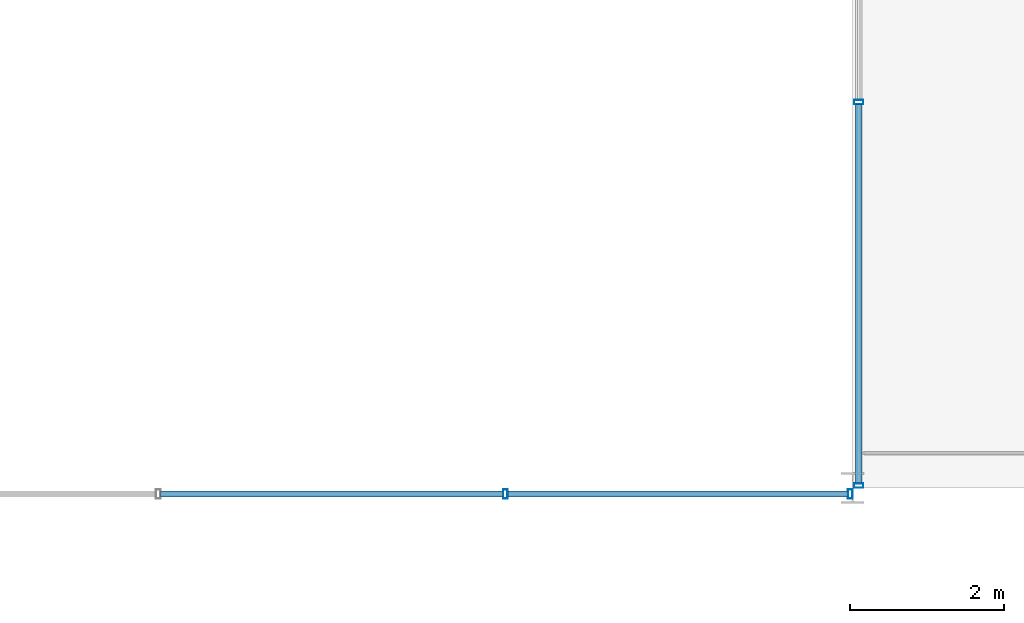
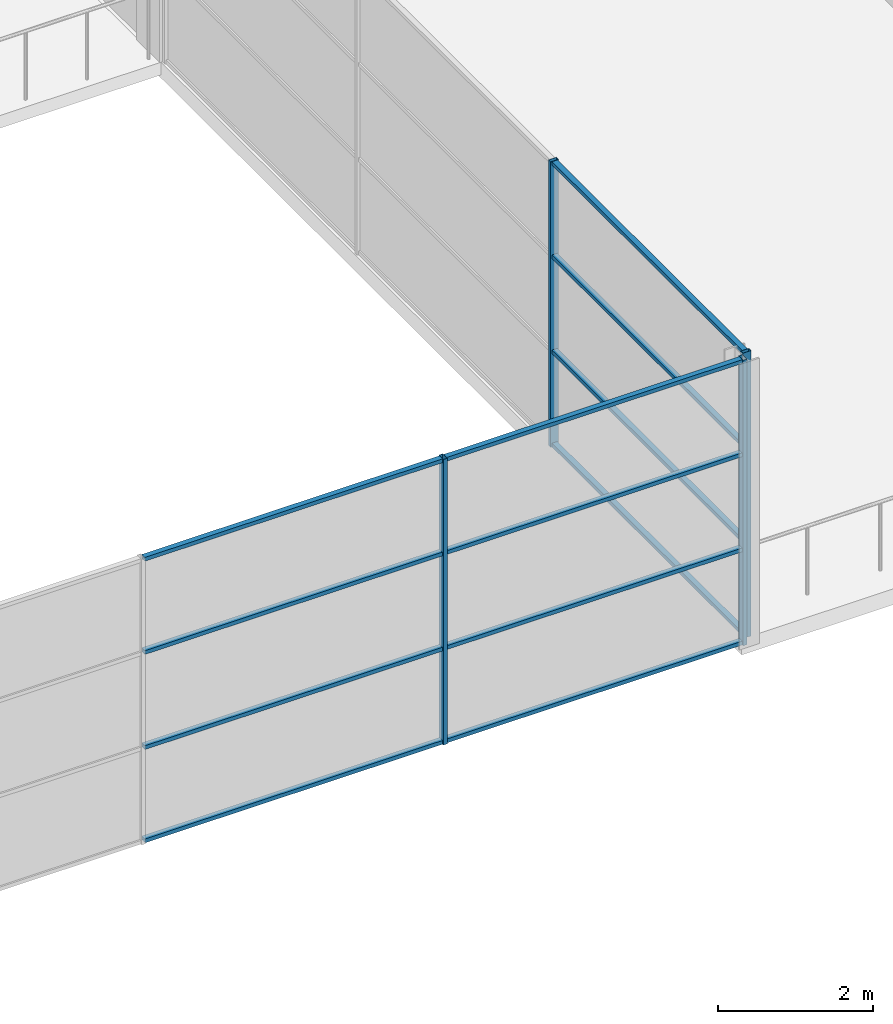
# One storey, part 25 of 111: 16 members, 2 elements without a shape of their own.
"""IFC4 building model written with IfcOpenShell, lengths in metres."""

from ifc_helpers import new_model, si_unit, direction, frame, origin, origin_2d, place, context, subcontext, project, spatial, hollow_rectangle, extrude, material, material_profile, profile_set, type_object, element, aggregate, save


model = new_model("IFC4")

# Units and contexts
model_context = context("Model", 3, precision=1e-05, world=origin(), true_north=direction((0.0, 1.0)))
body_context = subcontext(model_context, "Body", "Model", "MODEL_VIEW")
ifc_project = project(units=[si_unit("LENGTHUNIT", "METRE"), si_unit("AREAUNIT", "SQUARE_METRE"), si_unit("VOLUMEUNIT", "CUBIC_METRE"), si_unit("PLANEANGLEUNIT", "RADIAN"), si_unit("MASSUNIT", "GRAM", prefix="KILO")], contexts=[model_context])

# Site, building, storey
site_placement = place(None, origin())
site = spatial("IfcSite", under=ifc_project, at=site_placement, CompositionType="ELEMENT")
building_placement = place(site_placement, origin())
building = spatial("IfcBuilding", under=site, at=building_placement, Name="Kallimachos Central Library", CompositionType="ELEMENT")
storey_placement = place(building_placement, frame((0.0, 0.0, 14.39990234375)))
storey = spatial("IfcBuildingStorey", under=building, at=storey_placement, Name="L03", CompositionType="ELEMENT", Elevation=14.39990234375)

# Curtain wall, members
ifc_material_1 = material(Name="Aluminium and laminated glass", Category="aluminium")
curtain_wall_type = type_object("IfcCurtainWallType", Name="Atrium glazed screen", PredefinedType="NOTDEFINED", material=ifc_material_1)
curtain_wall_1_placement = place(storey_placement, origin())
curtain_wall_1 = element("IfcCurtainWall", 1, at=curtain_wall_1_placement, inside=storey, type_object=curtain_wall_type, Name="L03 atrium screen S", PredefinedType="NOTDEFINED")
ifc_material_2 = material(Name="Anodised aluminium", Category="aluminium")
ifc_material_profile_1 = material_profile(ifc_material_2, hollow_rectangle(XDim=0.06005859375, YDim=0.1201171875, WallThickness=0.00390625, at=origin_2d()), Name="ALU MULLION 60x120")
ifc_profile_set_1 = profile_set([ifc_material_profile_1], Name="Anodised aluminium")
member_type_1 = type_object("IfcMemberType", Name="Atrium screen mullion", PredefinedType="MULLION", material=ifc_profile_set_1)
member_1_placement = place(storey_placement, frame((97.0, 56.919921875, 0.0), z_axis=(0.0, 0.0, 1.0), x_axis=(1.0, 0.0, 0.0)))
member_1 = element("IfcMember", 2, at=member_1_placement, type_object=member_type_1, Name="CW mullion 6", PredefinedType="MULLION", context=body_context, shape_type="SweptSolid", body=[
    extrude(hollow_rectangle(XDim=0.06005859375, YDim=0.1201171875, WallThickness=0.00390625, at=origin_2d()), origin(), (0.0, 0.0, 1.0), 4.5),
])
member_2_placement = place(storey_placement, frame((101.469970703125, 56.919921875, 0.0), z_axis=(0.0, 0.0, 1.0), x_axis=(1.0, 0.0, 0.0)))
member_2 = element("IfcMember", 3, at=member_2_placement, type_object=member_type_1, Name="CW mullion 7", PredefinedType="MULLION", context=body_context, shape_type="SweptSolid", body=[
    extrude(hollow_rectangle(XDim=0.06005859375, YDim=0.1201171875, WallThickness=0.00390625, at=origin_2d()), origin(), (0.0, 0.0, 1.0), 4.5),
])

curtain_wall_2_placement = place(storey_placement, origin())
curtain_wall_2 = element("IfcCurtainWall", 4, at=curtain_wall_2_placement, inside=storey, type_object=curtain_wall_type, Name="L03 atrium screen E", PredefinedType="NOTDEFINED")
member_3_placement = place(storey_placement, frame((101.580078125, 57.030029296875, 0.0), z_axis=(0.0, 0.0, 1.0), x_axis=(0.0, 1.0, 0.0)))
member_3 = element("IfcMember", 5, at=member_3_placement, type_object=member_type_1, Name="CW mullion 1", PredefinedType="MULLION", context=body_context, shape_type="SweptSolid", body=[
    extrude(hollow_rectangle(XDim=0.06005859375, YDim=0.1201171875, WallThickness=0.00390625, at=origin_2d()), origin(), (0.0, 0.0, 1.0), 4.5),
])
member_4_placement = place(storey_placement, frame((101.580078125, 62.0, 0.0), z_axis=(0.0, 0.0, 1.0), x_axis=(0.0, 1.0, 0.0)))
member_4 = element("IfcMember", 6, at=member_4_placement, type_object=member_type_1, Name="CW mullion 2", PredefinedType="MULLION", context=body_context, shape_type="SweptSolid", body=[
    extrude(hollow_rectangle(XDim=0.06005859375, YDim=0.1201171875, WallThickness=0.00390625, at=origin_2d()), origin(), (0.0, 0.0, 1.0), 4.5),
])

# Member
ifc_material_3 = material(Name="Anodised aluminium", Category="aluminium")
ifc_material_profile_2 = material_profile(ifc_material_3, hollow_rectangle(XDim=0.06005859375, YDim=0.080078125, WallThickness=0.00390625, at=origin_2d()), Name="ALU TRANSOM 60x80")
ifc_profile_set_2 = profile_set([ifc_material_profile_2], Name="Anodised aluminium")
member_type_2 = type_object("IfcMemberType", Name="Atrium screen transom", PredefinedType="USERDEFINED", material=ifc_profile_set_2)
member_5_placement = place(storey_placement, frame((92.530029296875, 56.919921875, 0.030029296875), z_axis=(1.0, 0.0, 0.0), x_axis=(0.0, 0.0, 1.0)))
member_5 = element("IfcMember", 7, at=member_5_placement, type_object=member_type_2, Name="CW transom 5.1", ObjectType="TRANSOM", PredefinedType="USERDEFINED", context=body_context, shape_type="SweptSolid", body=[
    extrude(hollow_rectangle(XDim=0.06005859375, YDim=0.080078125, WallThickness=0.00390625, at=origin_2d()), origin(), (0.0, 0.0, 1.0), 4.43994140625),
])

member_6_placement = place(storey_placement, frame((92.530029296875, 56.919921875, 1.5), z_axis=(1.0, 0.0, 0.0), x_axis=(0.0, 0.0, 1.0)))
member_6 = element("IfcMember", 8, at=member_6_placement, type_object=member_type_2, Name="CW transom 5.2", ObjectType="TRANSOM", PredefinedType="USERDEFINED", context=body_context, shape_type="SweptSolid", body=[
    extrude(hollow_rectangle(XDim=0.06005859375, YDim=0.080078125, WallThickness=0.00390625, at=origin_2d()), origin(), (0.0, 0.0, 1.0), 4.43994140625),
])

member_7_placement = place(storey_placement, frame((92.530029296875, 56.919921875, 3.0), z_axis=(1.0, 0.0, 0.0), x_axis=(0.0, 0.0, 1.0)))
member_7 = element("IfcMember", 9, at=member_7_placement, type_object=member_type_2, Name="CW transom 5.3", ObjectType="TRANSOM", PredefinedType="USERDEFINED", context=body_context, shape_type="SweptSolid", body=[
    extrude(hollow_rectangle(XDim=0.06005859375, YDim=0.080078125, WallThickness=0.00390625, at=origin_2d()), origin(), (0.0, 0.0, 1.0), 4.43994140625),
])

member_8_placement = place(storey_placement, frame((92.530029296875, 56.919921875, 4.47021484375), z_axis=(1.0, 0.0, 0.0), x_axis=(0.0, 0.0, 1.0)))
member_8 = element("IfcMember", 10, at=member_8_placement, type_object=member_type_2, Name="CW transom 5.4", ObjectType="TRANSOM", PredefinedType="USERDEFINED", context=body_context, shape_type="SweptSolid", body=[
    extrude(hollow_rectangle(XDim=0.06005859375, YDim=0.080078125, WallThickness=0.00390625, at=origin_2d()), origin(), (0.0, 0.0, 1.0), 4.43994140625),
])

member_9_placement = place(storey_placement, frame((97.030029296875, 56.919921875, 0.030029296875), z_axis=(1.0, 0.0, 0.0), x_axis=(0.0, 0.0, 1.0)))
member_9 = element("IfcMember", 11, at=member_9_placement, type_object=member_type_2, Name="CW transom 6.1", ObjectType="TRANSOM", PredefinedType="USERDEFINED", context=body_context, shape_type="SweptSolid", body=[
    extrude(hollow_rectangle(XDim=0.06005859375, YDim=0.080078125, WallThickness=0.00390625, at=origin_2d()), origin(), (0.0, 0.0, 1.0), 4.409912109375),
])

member_10_placement = place(storey_placement, frame((97.030029296875, 56.919921875, 1.5), z_axis=(1.0, 0.0, 0.0), x_axis=(0.0, 0.0, 1.0)))
member_10 = element("IfcMember", 12, at=member_10_placement, type_object=member_type_2, Name="CW transom 6.2", ObjectType="TRANSOM", PredefinedType="USERDEFINED", context=body_context, shape_type="SweptSolid", body=[
    extrude(hollow_rectangle(XDim=0.06005859375, YDim=0.080078125, WallThickness=0.00390625, at=origin_2d()), origin(), (0.0, 0.0, 1.0), 4.409912109375),
])

member_11_placement = place(storey_placement, frame((97.030029296875, 56.919921875, 3.0), z_axis=(1.0, 0.0, 0.0), x_axis=(0.0, 0.0, 1.0)))
member_11 = element("IfcMember", 13, at=member_11_placement, type_object=member_type_2, Name="CW transom 6.3", ObjectType="TRANSOM", PredefinedType="USERDEFINED", context=body_context, shape_type="SweptSolid", body=[
    extrude(hollow_rectangle(XDim=0.06005859375, YDim=0.080078125, WallThickness=0.00390625, at=origin_2d()), origin(), (0.0, 0.0, 1.0), 4.409912109375),
])

member_12_placement = place(storey_placement, frame((97.030029296875, 56.919921875, 4.47021484375), z_axis=(1.0, 0.0, 0.0), x_axis=(0.0, 0.0, 1.0)))
member_12 = element("IfcMember", 14, at=member_12_placement, type_object=member_type_2, Name="CW transom 6.4", ObjectType="TRANSOM", PredefinedType="USERDEFINED", context=body_context, shape_type="SweptSolid", body=[
    extrude(hollow_rectangle(XDim=0.06005859375, YDim=0.080078125, WallThickness=0.00390625, at=origin_2d()), origin(), (0.0, 0.0, 1.0), 4.409912109375),
])

aggregate(curtain_wall_1, [member_1, member_2, member_5, member_6, member_7, member_8, member_9, member_10, member_11, member_12])

member_13_placement = place(storey_placement, frame((101.580078125, 57.06005859375, 0.030029296875), z_axis=(0.0, 1.0, 0.0), x_axis=(0.0, 0.0, 1.0)))
member_13 = element("IfcMember", 15, at=member_13_placement, type_object=member_type_2, Name="CW transom 1.1", ObjectType="TRANSOM", PredefinedType="USERDEFINED", context=body_context, shape_type="SweptSolid", body=[
    extrude(hollow_rectangle(XDim=0.06005859375, YDim=0.080078125, WallThickness=0.00390625, at=origin_2d()), origin(), (0.0, 0.0, 1.0), 4.909912109375),
])

member_14_placement = place(storey_placement, frame((101.580078125, 57.06005859375, 1.5), z_axis=(0.0, 1.0, 0.0), x_axis=(0.0, 0.0, 1.0)))
member_14 = element("IfcMember", 16, at=member_14_placement, type_object=member_type_2, Name="CW transom 1.2", ObjectType="TRANSOM", PredefinedType="USERDEFINED", context=body_context, shape_type="SweptSolid", body=[
    extrude(hollow_rectangle(XDim=0.06005859375, YDim=0.080078125, WallThickness=0.00390625, at=origin_2d()), origin(), (0.0, 0.0, 1.0), 4.909912109375),
])

member_15_placement = place(storey_placement, frame((101.580078125, 57.06005859375, 3.0), z_axis=(0.0, 1.0, 0.0), x_axis=(0.0, 0.0, 1.0)))
member_15 = element("IfcMember", 17, at=member_15_placement, type_object=member_type_2, Name="CW transom 1.3", ObjectType="TRANSOM", PredefinedType="USERDEFINED", context=body_context, shape_type="SweptSolid", body=[
    extrude(hollow_rectangle(XDim=0.06005859375, YDim=0.080078125, WallThickness=0.00390625, at=origin_2d()), origin(), (0.0, 0.0, 1.0), 4.909912109375),
])

member_16_placement = place(storey_placement, frame((101.580078125, 57.06005859375, 4.47021484375), z_axis=(0.0, 1.0, 0.0), x_axis=(0.0, 0.0, 1.0)))
member_16 = element("IfcMember", 18, at=member_16_placement, type_object=member_type_2, Name="CW transom 1.4", ObjectType="TRANSOM", PredefinedType="USERDEFINED", context=body_context, shape_type="SweptSolid", body=[
    extrude(hollow_rectangle(XDim=0.06005859375, YDim=0.080078125, WallThickness=0.00390625, at=origin_2d()), origin(), (0.0, 0.0, 1.0), 4.909912109375),
])

aggregate(curtain_wall_2, [member_3, member_4, member_13, member_14, member_15, member_16])

save(model, "model.ifc")
